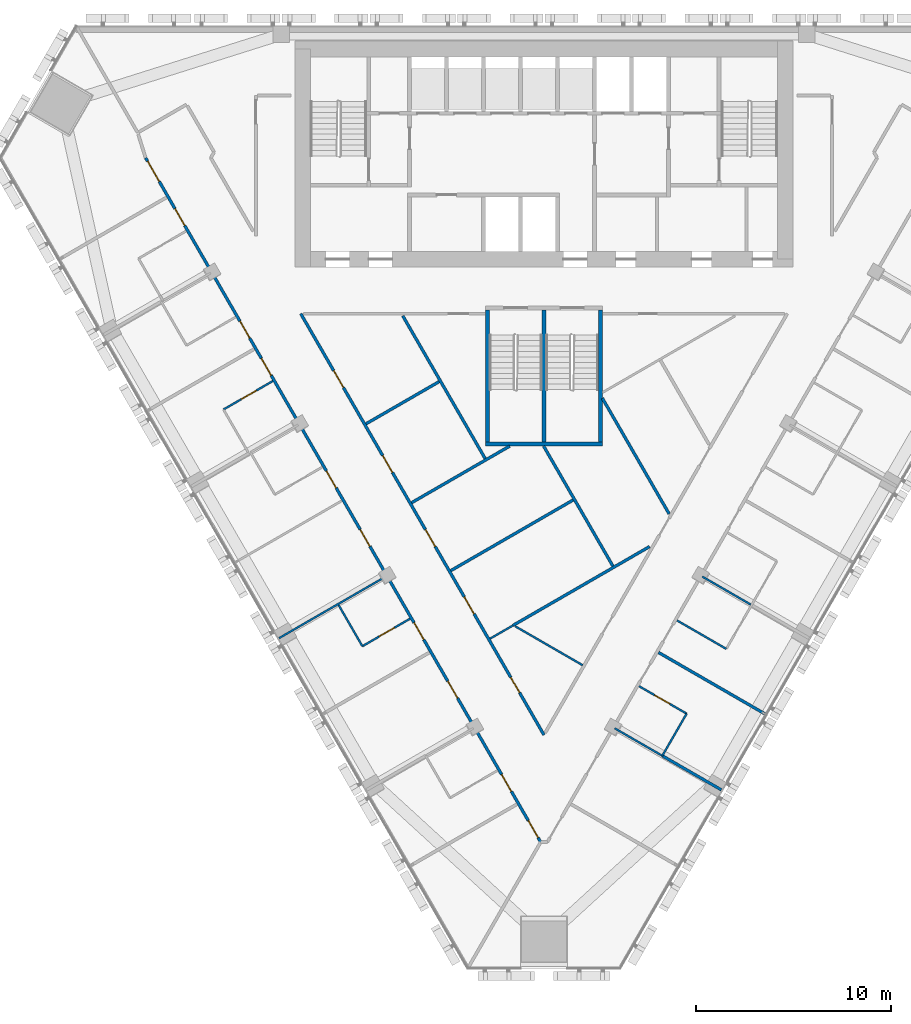
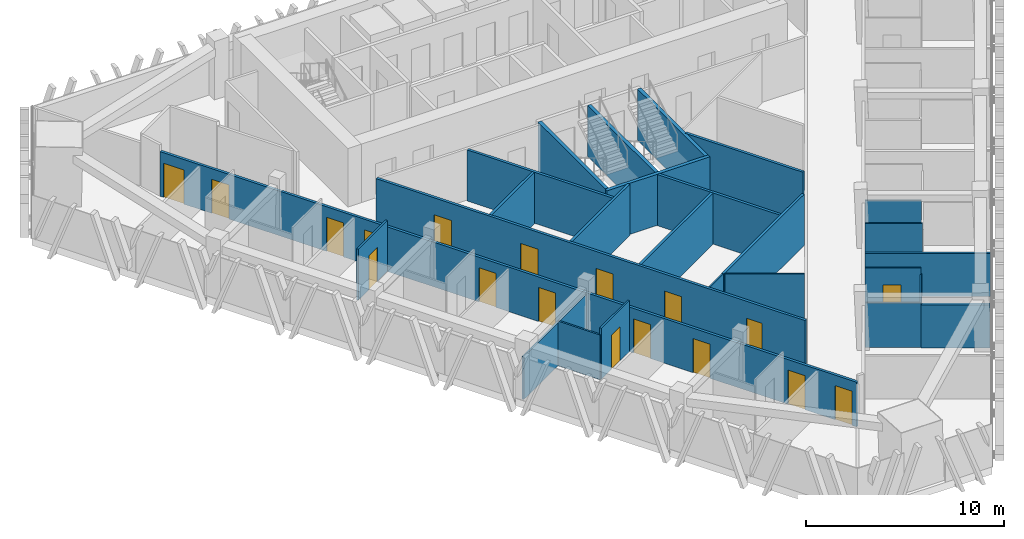
# One storey, part 9 of 16: 26 walls, 18 doors, 18 openings.
"""IFC4 building model written with IfcOpenShell, lengths in metres."""

from ifc_helpers import new_model, si_unit, direction, frame, frame_2d, origin, place, context, subcontext, project, spatial, rectangle, extrude, material, layer, layer_set, type_object, element, fill, save


model = new_model("IFC4")

# Units and contexts
model_context = context("Model", 3, precision=1e-05, world=origin(), true_north=direction((0.0, 1.0)))
body_context = subcontext(model_context, "Body", "Model", "MODEL_VIEW")
ifc_project = project(units=[si_unit("LENGTHUNIT", "METRE"), si_unit("AREAUNIT", "SQUARE_METRE"), si_unit("VOLUMEUNIT", "CUBIC_METRE"), si_unit("PLANEANGLEUNIT", "RADIAN"), si_unit("MASSUNIT", "GRAM", prefix="KILO")], contexts=[model_context])

# Site, building, storey
site_placement = place(None, origin())
site = spatial("IfcSite", under=ifc_project, at=site_placement, CompositionType="ELEMENT")
building_placement = place(site_placement, origin())
building = spatial("IfcBuilding", under=site, at=building_placement, Name="Altiplano Prism Tower", CompositionType="ELEMENT")
storey_placement = place(building_placement, frame((0.0, 0.0, 127.800048828125)))
storey = spatial("IfcBuildingStorey", under=building, at=storey_placement, Name="L32", CompositionType="ELEMENT", Elevation=127.800048828125)

# Wall, opening, door
ifc_material_1 = material(Name="Plasterboard on steel stud", Category="steel")
ifc_layer_1 = layer(ifc_material_1, 0.10009765625)
ifc_layer_set_1 = layer_set([ifc_layer_1], Name="Plasterboard on steel stud")
wall_type_1 = type_object("IfcWallType", Name="Partition 100 unit", PredefinedType="PARTITIONING", material=ifc_layer_set_1)
wall_1_placement = place(storey_placement, frame((68.5341796875, 85.278076171875, 0.0), z_axis=(0.0, 0.0, 1.0), x_axis=(0.866046596414, 0.499963291492, 0.0)))
wall_1 = element("IfcWall", 1, at=wall_1_placement, inside=storey, type_object=wall_type_1, Name="Partition P02 L32 041", PredefinedType="PARTITIONING", context=body_context, shape_type="SweptSolid", body=[
    extrude(rectangle(XDim=2.925048828125, YDim=0.10009765625, at=frame_2d((1.46240234375, 0.0))), origin(), (0.0, 0.0, 1.0), 3.14990234375),
])
opening_1_placement = place(wall_1_placement, frame((1.050048828125, 0.0, 0.0)))
opening_1 = element("IfcOpeningElement", 2, at=opening_1_placement, cuts=wall_1, Name="Opening D1147", PredefinedType="OPENING", context=body_context, shape_type="SweptSolid", body=[
    extrude(rectangle(XDim=0.89990234375, YDim=2.10009765625, at=frame_2d((0.449951171875, 1.050048828125))), frame((0.0, 0.060546875, 0.0), z_axis=(0.0, -1.0, 0.0), x_axis=(1.0, 0.0, 0.0)), (0.0, 0.0, 1.0), 0.12109375),
])
ifc_material_2 = material(Name="Timber", Category="wood")
door_type_1 = type_object("IfcDoorType", Name="Ensuite door 900 x 2100", OperationType="NOTDEFINED", PredefinedType="NOTDEFINED", material=ifc_material_2)
door_1_placement = place(opening_1_placement, origin())
door_1 = element("IfcDoor", 3, at=door_1_placement, inside=storey, type_object=door_type_1, Name="Door D1147", OperationType="SINGLE_SWING_LEFT", OverallHeight=2.10009765625, OverallWidth=0.89990234375, PredefinedType="NOTDEFINED", context=body_context, shape_type="SweptSolid", body=[
    extrude(rectangle(XDim=0.89990234375, YDim=2.10009765625, at=frame_2d((0.449951171875, 1.050048828125))), frame((0.0, 0.02490234375, 0.0), z_axis=(0.0, -1.0, 0.0), x_axis=(1.0, 0.0, 0.0)), (0.0, 0.0, 1.0), 0.050048828125),
])
fill(opening_1, door_1)

wall_2_placement = place(storey_placement, frame((78.117431640625, 74.529541015625, 0.0), z_axis=(0.0, 0.0, 1.0), x_axis=(-0.866048868473, -0.499959355765, 0.0)))
wall_2 = element("IfcWall", 4, at=wall_2_placement, inside=storey, type_object=wall_type_1, Name="Partition P02 L32 048", PredefinedType="PARTITIONING", context=body_context, shape_type="SweptSolid", body=[
    extrude(rectangle(XDim=2.824951171875, YDim=0.10009765625, at=frame_2d((1.41259765625, 0.0))), origin(), (0.0, 0.0, 1.0), 3.14990234375),
])
opening_2_placement = place(wall_2_placement, frame((0.925048828125, 0.0, 0.0)))
opening_2 = element("IfcOpeningElement", 5, at=opening_2_placement, cuts=wall_2, Name="Opening D1152", PredefinedType="OPENING", context=body_context, shape_type="SweptSolid", body=[
    extrude(rectangle(XDim=0.89990234375, YDim=2.10009765625, at=frame_2d((0.449951171875, 1.050048828125))), frame((0.0, 0.060546875, 0.0), z_axis=(0.0, -1.0, 0.0), x_axis=(1.0, 0.0, 0.0)), (0.0, 0.0, 1.0), 0.12109375),
])
door_2_placement = place(opening_2_placement, origin())
door_2 = element("IfcDoor", 6, at=door_2_placement, inside=storey, type_object=door_type_1, Name="Door D1152", OperationType="SINGLE_SWING_LEFT", OverallHeight=2.10009765625, OverallWidth=0.89990234375, PredefinedType="NOTDEFINED", context=body_context, shape_type="SweptSolid", body=[
    extrude(rectangle(XDim=0.89990234375, YDim=2.10009765625, at=frame_2d((0.449951171875, 1.050048828125))), frame((0.0, 0.02490234375, 0.0), z_axis=(0.0, -1.0, 0.0), x_axis=(1.0, 0.0, 0.0)), (0.0, 0.0, 1.0), 0.050048828125),
])
fill(opening_2, door_2)

# Wall
wall_3_placement = place(storey_placement, frame((75.6708984375, 73.1171875, 0.0), z_axis=(0.0, 0.0, 1.0), x_axis=(-0.500061746146, 0.865989751695, 0.0)))
element("IfcWall", 7, at=wall_3_placement, inside=storey, type_object=wall_type_1, Name="Partition P02 L32 049", PredefinedType="PARTITIONING", context=body_context, shape_type="SweptSolid", body=[
    extrude(rectangle(XDim=2.449951171875, YDim=0.10009765625, at=frame_2d((1.22509765625, 0.0))), origin(), (0.0, 0.0, 1.0), 2.75),
])

# Wall, opening, door
wall_4_placement = place(storey_placement, frame((89.882568359375, 71.0654296875, 0.0), z_axis=(0.0, 0.0, 1.0), x_axis=(0.866048868473, -0.499959355765, 0.0)))
wall_4 = element("IfcWall", 8, at=wall_4_placement, inside=storey, type_object=wall_type_1, Name="Partition P02 L32 060", PredefinedType="PARTITIONING", context=body_context, shape_type="SweptSolid", body=[
    extrude(rectangle(XDim=2.824951171875, YDim=0.10009765625, at=frame_2d((1.41259765625, 0.0))), origin(), (0.0, 0.0, 1.0), 3.14990234375),
])
opening_3_placement = place(wall_4_placement, frame((0.925048828125, 0.0, 0.0)))
opening_3 = element("IfcOpeningElement", 9, at=opening_3_placement, cuts=wall_4, Name="Opening D1160", PredefinedType="OPENING", context=body_context, shape_type="SweptSolid", body=[
    extrude(rectangle(XDim=0.89990234375, YDim=2.10009765625, at=frame_2d((0.449951171875, 1.050048828125))), frame((0.0, 0.060546875, 0.0), z_axis=(0.0, -1.0, 0.0), x_axis=(1.0, 0.0, 0.0)), (0.0, 0.0, 1.0), 0.12109375),
])
door_3_placement = place(opening_3_placement, origin())
door_3 = element("IfcDoor", 10, at=door_3_placement, inside=storey, type_object=door_type_1, Name="Door D1160", OperationType="SINGLE_SWING_LEFT", OverallHeight=2.10009765625, OverallWidth=0.89990234375, PredefinedType="NOTDEFINED", context=body_context, shape_type="SweptSolid", body=[
    extrude(rectangle(XDim=0.89990234375, YDim=2.10009765625, at=frame_2d((0.449951171875, 1.050048828125))), frame((0.0, 0.02490234375, 0.0), z_axis=(0.0, -1.0, 0.0), x_axis=(1.0, 0.0, 0.0)), (0.0, 0.0, 1.0), 0.050048828125),
])
fill(opening_3, door_3)

# Walls
wall_5_placement = place(storey_placement, frame((92.3291015625, 69.653076171875, 0.0), z_axis=(0.0, 0.0, 1.0), x_axis=(-0.500004234368, -0.866022959057, 0.0)))
element("IfcWall", 11, at=wall_5_placement, inside=storey, type_object=wall_type_1, Name="Partition P02 L32 061", PredefinedType="PARTITIONING", context=body_context, shape_type="SweptSolid", body=[
    extrude(rectangle(XDim=2.5, YDim=0.10009765625, at=frame_2d((1.25, 0.0))), origin(), (0.0, 0.0, 1.0), 2.75),
])
wall_6_placement = place(storey_placement, frame((94.36572265625, 72.98046875, 0.0), z_axis=(0.0, 0.0, 1.0), x_axis=(-0.86601045545, 0.500025890382, 0.0)))
element("IfcWall", 12, at=wall_6_placement, inside=storey, type_object=wall_type_1, Name="Partition P02 L32 063", PredefinedType="PARTITIONING", context=body_context, shape_type="SweptSolid", body=[
    extrude(rectangle(XDim=2.925048828125, YDim=0.10009765625, at=frame_2d((1.46240234375, 0.0))), origin(), (0.0, 0.0, 1.0), 3.14990234375),
])
ifc_layer_2 = layer(ifc_material_1, 0.10009765625)
ifc_layer_set_2 = layer_set([ifc_layer_2], Name="Plasterboard on steel stud")
wall_type_2 = type_object("IfcWallType", Name="Partition 100 wet", PredefinedType="PARTITIONING", material=ifc_layer_set_2)
wall_7_placement = place(storey_placement, frame((86.98291015625, 72.14306640625, 0.0), z_axis=(0.0, 0.0, 1.0), x_axis=(-0.866009324345, 0.500027849373, 0.0)))
element("IfcWall", 13, at=wall_7_placement, inside=storey, type_object=wall_type_2, Name="Partition P03 L32 022", PredefinedType="PARTITIONING", context=body_context, shape_type="SweptSolid", body=[
    extrude(rectangle(XDim=3.990478515625, YDim=0.10009765625, at=frame_2d((1.9951171875, 0.0))), origin(), (0.0, 0.0, 1.0), 3.14990234375),
])
wall_8_placement = place(storey_placement, frame((83.409912109375, 74.18603515625, 0.0), z_axis=(0.0, 0.0, 1.0), x_axis=(-0.86607212614, -0.499919065772, 0.0)))
element("IfcWall", 14, at=wall_8_placement, inside=storey, type_object=wall_type_2, Name="Partition P03 L32 023", PredefinedType="PARTITIONING", context=body_context, shape_type="SweptSolid", body=[
    extrude(rectangle(XDim=1.361572265625, YDim=0.10009765625, at=frame_2d((0.6806640625, 0.0))), origin(), (0.0, 0.0, 1.0), 3.14990234375),
])
wall_9_placement = place(storey_placement, frame((71.389892578125, 73.5322265625, 0.0), z_axis=(0.0, 0.0, 1.0), x_axis=(0.866032601554, 0.49998753289, 0.0)))
element("IfcWall", 15, at=wall_9_placement, inside=storey, type_object=wall_type_2, Name="Partition P03 L32 047", PredefinedType="PARTITIONING", context=body_context, shape_type="SweptSolid", body=[
    extrude(rectangle(XDim=6.324951171875, YDim=0.10009765625, at=frame_2d((3.16259765625, 0.0))), origin(), (0.0, 0.0, 1.0), 2.64990234375),
])
wall_10_placement = place(storey_placement, frame((91.0791015625, 67.488037109375, 0.0), z_axis=(0.0, 0.0, 1.0), x_axis=(-0.866048868473, 0.499959355765, 0.0)))
element("IfcWall", 16, at=wall_10_placement, inside=storey, type_object=wall_type_2, Name="Partition P03 L32 059", PredefinedType="PARTITIONING", context=body_context, shape_type="SweptSolid", body=[
    extrude(rectangle(XDim=2.824951171875, YDim=0.10009765625, at=frame_2d((1.41259765625, 0.0))), origin(), (0.0, 0.0, 1.0), 2.75),
])
wall_11_placement = place(storey_placement, frame((95.622314453125, 75.257080078125, 0.0), z_axis=(0.0, 0.0, 1.0), x_axis=(-0.866018712932, 0.500011588718, 0.0)))
element("IfcWall", 17, at=wall_11_placement, inside=storey, type_object=wall_type_2, Name="Partition P03 L32 065", PredefinedType="PARTITIONING", context=body_context, shape_type="SweptSolid", body=[
    extrude(rectangle(XDim=2.875, YDim=0.10009765625, at=frame_2d((1.4375, 0.0))), origin(), (0.0, 0.0, 1.0), 2.75),
])

# Wall, openings, doors
ifc_layer_3 = layer(ifc_material_1, 0.14990234375)
ifc_layer_set_3 = layer_set([ifc_layer_3], Name="Plasterboard on steel stud")
wall_type_3 = type_object("IfcWallType", Name="Partition 150 corridor", PredefinedType="PARTITIONING", material=ifc_layer_set_3)
wall_12_placement = place(storey_placement, frame((85.0, 68.55859375, 0.0), z_axis=(0.0, 0.0, 1.0), x_axis=(-0.499999561005, 0.866025657238, 0.0)))
wall_12 = element("IfcWall", 18, at=wall_12_placement, inside=storey, type_object=wall_type_3, Name="Partition P06 L32 001", PredefinedType="PARTITIONING", context=body_context, shape_type="SweptSolid", body=[
    extrude(rectangle(XDim=24.9892578125, YDim=0.14990234375, at=frame_2d((12.49462890625, 0.0))), origin(), (0.0, 0.0, 1.0), 3.14990234375),
])
opening_4_placement = place(wall_12_placement, frame((2.514892578125, 0.0, 0.0)))
opening_4 = element("IfcOpeningElement", 19, at=opening_4_placement, cuts=wall_12, Name="Opening D1135", PredefinedType="OPENING", context=body_context, shape_type="SweptSolid", body=[
    extrude(rectangle(XDim=0.89990234375, YDim=2.10009765625, at=frame_2d((0.449951171875, 1.050048828125))), frame((0.0, 0.08544921875, 0.0), z_axis=(0.0, -1.0, 0.0), x_axis=(1.0, 0.0, 0.0)), (0.0, 0.0, 1.0), 0.1708984375),
])
opening_5_placement = place(wall_12_placement, frame((15.572998046875, 0.0, 0.0)))
opening_5 = element("IfcOpeningElement", 20, at=opening_5_placement, cuts=wall_12, Name="Opening D1140", PredefinedType="OPENING", context=body_context, shape_type="SweptSolid", body=[
    extrude(rectangle(XDim=1.0, YDim=2.10009765625, at=frame_2d((0.5, 1.050048828125))), frame((0.0, 0.08544921875, 0.0), z_axis=(0.0, -1.0, 0.0), x_axis=(1.0, 0.0, 0.0)), (0.0, 0.0, 1.0), 0.1708984375),
])
opening_6_placement = place(wall_12_placement, frame((7.18603515625, 0.0, 0.0)))
opening_6 = element("IfcOpeningElement", 21, at=opening_6_placement, cuts=wall_12, Name="Opening D1174", PredefinedType="OPENING", context=body_context, shape_type="SweptSolid", body=[
    extrude(rectangle(XDim=1.0, YDim=2.10009765625, at=frame_2d((0.5, 1.050048828125))), frame((0.0, 0.08544921875, 0.0), z_axis=(0.0, -1.0, 0.0), x_axis=(1.0, 0.0, 0.0)), (0.0, 0.0, 1.0), 0.1708984375),
])
opening_7_placement = place(wall_12_placement, frame((11.178955078125, 0.0, 0.0)))
opening_7 = element("IfcOpeningElement", 22, at=opening_7_placement, cuts=wall_12, Name="Opening D1175", PredefinedType="OPENING", context=body_context, shape_type="SweptSolid", body=[
    extrude(rectangle(XDim=1.0, YDim=2.10009765625, at=frame_2d((0.5, 1.050048828125))), frame((0.0, 0.08544921875, 0.0), z_axis=(0.0, -1.0, 0.0), x_axis=(1.0, 0.0, 0.0)), (0.0, 0.0, 1.0), 0.1708984375),
])
opening_8_placement = place(wall_12_placement, frame((20.60693359375, 0.0, 0.0)))
opening_8 = element("IfcOpeningElement", 23, at=opening_8_placement, cuts=wall_12, Name="Opening D1177", PredefinedType="OPENING", context=body_context, shape_type="SweptSolid", body=[
    extrude(rectangle(XDim=1.0, YDim=2.10009765625, at=frame_2d((0.5, 1.050048828125))), frame((0.0, 0.08544921875, 0.0), z_axis=(0.0, -1.0, 0.0), x_axis=(1.0, 0.0, 0.0)), (0.0, 0.0, 1.0), 0.1708984375),
])
door_type_2 = type_object("IfcDoorType", Name="Room door 1000 x 2100", OperationType="NOTDEFINED", PredefinedType="NOTDEFINED", material=ifc_material_2)
door_4_placement = place(opening_6_placement, origin())
door_4 = element("IfcDoor", 24, at=door_4_placement, inside=storey, type_object=door_type_2, Name="Door D1174", OperationType="SINGLE_SWING_RIGHT", OverallHeight=2.10009765625, OverallWidth=1.0, PredefinedType="NOTDEFINED", context=body_context, shape_type="SweptSolid", body=[
    extrude(rectangle(XDim=1.0, YDim=2.10009765625, at=frame_2d((0.5, 1.050048828125))), frame((0.0, 0.02490234375, 0.0), z_axis=(0.0, -1.0, 0.0), x_axis=(1.0, 0.0, 0.0)), (0.0, 0.0, 1.0), 0.050048828125),
])
fill(opening_6, door_4)
door_type_3 = type_object("IfcDoorType", Name="Store door 1000 x 2100", OperationType="NOTDEFINED", PredefinedType="NOTDEFINED", material=ifc_material_2)
door_5_placement = place(opening_5_placement, origin())
door_5 = element("IfcDoor", 25, at=door_5_placement, inside=storey, type_object=door_type_3, Name="Door D1140", OperationType="SINGLE_SWING_LEFT", OverallHeight=2.10009765625, OverallWidth=1.0, PredefinedType="NOTDEFINED", context=body_context, shape_type="SweptSolid", body=[
    extrude(rectangle(XDim=1.0, YDim=2.10009765625, at=frame_2d((0.5, 1.050048828125))), frame((0.0, 0.02490234375, 0.0), z_axis=(0.0, -1.0, 0.0), x_axis=(1.0, 0.0, 0.0)), (0.0, 0.0, 1.0), 0.050048828125),
])
fill(opening_5, door_5)
door_6_placement = place(opening_7_placement, origin())
door_6 = element("IfcDoor", 26, at=door_6_placement, inside=storey, type_object=door_type_3, Name="Door D1175", OperationType="SINGLE_SWING_RIGHT", OverallHeight=2.10009765625, OverallWidth=1.0, PredefinedType="NOTDEFINED", context=body_context, shape_type="SweptSolid", body=[
    extrude(rectangle(XDim=1.0, YDim=2.10009765625, at=frame_2d((0.5, 1.050048828125))), frame((0.0, 0.02490234375, 0.0), z_axis=(0.0, -1.0, 0.0), x_axis=(1.0, 0.0, 0.0)), (0.0, 0.0, 1.0), 0.050048828125),
])
fill(opening_7, door_6)
door_7_placement = place(opening_8_placement, origin())
door_7 = element("IfcDoor", 27, at=door_7_placement, inside=storey, type_object=door_type_3, Name="Door D1177", OperationType="SINGLE_SWING_RIGHT", OverallHeight=2.10009765625, OverallWidth=1.0, PredefinedType="NOTDEFINED", context=body_context, shape_type="SweptSolid", body=[
    extrude(rectangle(XDim=1.0, YDim=2.10009765625, at=frame_2d((0.5, 1.050048828125))), frame((0.0, 0.02490234375, 0.0), z_axis=(0.0, -1.0, 0.0), x_axis=(1.0, 0.0, 0.0)), (0.0, 0.0, 1.0), 0.050048828125),
])
fill(opening_8, door_7)
door_type_4 = type_object("IfcDoorType", Name="Toilet door 900 x 2100", OperationType="NOTDEFINED", PredefinedType="NOTDEFINED", material=ifc_material_2)
door_8_placement = place(opening_4_placement, origin())
door_8 = element("IfcDoor", 28, at=door_8_placement, inside=storey, type_object=door_type_4, Name="Door D1135", OperationType="SINGLE_SWING_LEFT", OverallHeight=2.10009765625, OverallWidth=0.89990234375, PredefinedType="NOTDEFINED", context=body_context, shape_type="SweptSolid", body=[
    extrude(rectangle(XDim=0.89990234375, YDim=2.10009765625, at=frame_2d((0.449951171875, 1.050048828125))), frame((0.0, 0.02490234375, 0.0), z_axis=(0.0, -1.0, 0.0), x_axis=(1.0, 0.0, 0.0)), (0.0, 0.0, 1.0), 0.050048828125),
])
fill(opening_4, door_8)

wall_13_placement = place(storey_placement, frame((64.534423828125, 98.2060546875, 0.0), z_axis=(0.0, 0.0, 1.0), x_axis=(0.499999603446, -0.866025632735, 0.0)))
wall_13 = element("IfcWall", 29, at=wall_13_placement, inside=storey, type_object=wall_type_3, Name="Partition P06 L32 005", PredefinedType="PARTITIONING", context=body_context, shape_type="SweptSolid", body=[
    extrude(rectangle(XDim=40.591796875, YDim=0.14990234375, at=frame_2d((20.2958984375, 0.0))), origin(), (0.0, 0.0, 1.0), 2.75),
])
opening_9_placement = place(wall_13_placement, frame((0.199951171875, 0.0, 0.0)))
opening_9 = element("IfcOpeningElement", 30, at=opening_9_placement, cuts=wall_13, Name="Opening D1141", PredefinedType="OPENING", context=body_context, shape_type="SweptSolid", body=[
    extrude(rectangle(XDim=1.199951171875, YDim=2.10009765625, at=frame_2d((0.60009765625, 1.050048828125))), frame((0.0, 0.08544921875, 0.0), z_axis=(0.0, -1.0, 0.0), x_axis=(1.0, 0.0, 0.0)), (0.0, 0.0, 1.0), 0.1708984375),
])
opening_10_placement = place(wall_13_placement, frame((3.01611328125, 0.0, 0.0)))
opening_10 = element("IfcOpeningElement", 31, at=opening_10_placement, cuts=wall_13, Name="Opening D1142", PredefinedType="OPENING", context=body_context, shape_type="SweptSolid", body=[
    extrude(rectangle(XDim=1.0, YDim=2.10009765625, at=frame_2d((0.5, 1.050048828125))), frame((0.0, 0.08544921875, 0.0), z_axis=(0.0, -1.0, 0.0), x_axis=(1.0, 0.0, 0.0)), (0.0, 0.0, 1.0), 0.1708984375),
])
opening_11_placement = place(wall_13_placement, frame((9.69091796875, 0.0, 0.0)))
opening_11 = element("IfcOpeningElement", 32, at=opening_11_placement, cuts=wall_13, Name="Opening D1144", PredefinedType="OPENING", context=body_context, shape_type="SweptSolid", body=[
    extrude(rectangle(XDim=1.0, YDim=2.10009765625, at=frame_2d((0.5, 1.050048828125))), frame((0.0, 0.08544921875, 0.0), z_axis=(0.0, -1.0, 0.0), x_axis=(1.0, 0.0, 0.0)), (0.0, 0.0, 1.0), 0.1708984375),
])
opening_12_placement = place(wall_13_placement, frame((11.90087890625, 0.0, 0.0)))
opening_12 = element("IfcOpeningElement", 33, at=opening_12_placement, cuts=wall_13, Name="Opening D1146", PredefinedType="OPENING", context=body_context, shape_type="SweptSolid", body=[
    extrude(rectangle(XDim=1.0, YDim=2.10009765625, at=frame_2d((0.5, 1.050048828125))), frame((0.0, 0.08544921875, 0.0), z_axis=(0.0, -1.0, 0.0), x_axis=(1.0, 0.0, 0.0)), (0.0, 0.0, 1.0), 0.1708984375),
])
opening_13_placement = place(wall_13_placement, frame((18.575927734375, 0.0, 0.0)))
opening_13 = element("IfcOpeningElement", 34, at=opening_13_placement, cuts=wall_13, Name="Opening D1148", PredefinedType="OPENING", context=body_context, shape_type="SweptSolid", body=[
    extrude(rectangle(XDim=1.0, YDim=2.10009765625, at=frame_2d((0.5, 1.050048828125))), frame((0.0, 0.08544921875, 0.0), z_axis=(0.0, -1.0, 0.0), x_axis=(1.0, 0.0, 0.0)), (0.0, 0.0, 1.0), 0.1708984375),
])
opening_14_placement = place(wall_13_placement, frame((22.0458984375, 0.0, 0.0)))
opening_14 = element("IfcOpeningElement", 35, at=opening_14_placement, cuts=wall_13, Name="Opening D1150", PredefinedType="OPENING", context=body_context, shape_type="SweptSolid", body=[
    extrude(rectangle(XDim=1.0, YDim=2.10009765625, at=frame_2d((0.5, 1.050048828125))), frame((0.0, 0.08544921875, 0.0), z_axis=(0.0, -1.0, 0.0), x_axis=(1.0, 0.0, 0.0)), (0.0, 0.0, 1.0), 0.1708984375),
])
opening_15_placement = place(wall_13_placement, frame((27.575927734375, 0.0, 0.0)))
opening_15 = element("IfcOpeningElement", 36, at=opening_15_placement, cuts=wall_13, Name="Opening D1151", PredefinedType="OPENING", context=body_context, shape_type="SweptSolid", body=[
    extrude(rectangle(XDim=1.0, YDim=2.10009765625, at=frame_2d((0.5, 1.050048828125))), frame((0.0, 0.08544921875, 0.0), z_axis=(0.0, -1.0, 0.0), x_axis=(1.0, 0.0, 0.0)), (0.0, 0.0, 1.0), 0.1708984375),
])
opening_16_placement = place(wall_13_placement, frame((31.0458984375, 0.0, 0.0)))
opening_16 = element("IfcOpeningElement", 37, at=opening_16_placement, cuts=wall_13, Name="Opening D1153", PredefinedType="OPENING", context=body_context, shape_type="SweptSolid", body=[
    extrude(rectangle(XDim=1.0, YDim=2.10009765625, at=frame_2d((0.5, 1.050048828125))), frame((0.0, 0.08544921875, 0.0), z_axis=(0.0, -1.0, 0.0), x_axis=(1.0, 0.0, 0.0)), (0.0, 0.0, 1.0), 0.1708984375),
])
opening_17_placement = place(wall_13_placement, frame((36.575927734375, 0.0, 0.0)))
opening_17 = element("IfcOpeningElement", 38, at=opening_17_placement, cuts=wall_13, Name="Opening D1154", PredefinedType="OPENING", context=body_context, shape_type="SweptSolid", body=[
    extrude(rectangle(XDim=1.0, YDim=2.10009765625, at=frame_2d((0.5, 1.050048828125))), frame((0.0, 0.08544921875, 0.0), z_axis=(0.0, -1.0, 0.0), x_axis=(1.0, 0.0, 0.0)), (0.0, 0.0, 1.0), 0.1708984375),
])
opening_18_placement = place(wall_13_placement, frame((39.322998046875, 0.0, 0.0)))
opening_18 = element("IfcOpeningElement", 39, at=opening_18_placement, cuts=wall_13, Name="Opening D1156", PredefinedType="OPENING", context=body_context, shape_type="SweptSolid", body=[
    extrude(rectangle(XDim=1.0, YDim=2.10009765625, at=frame_2d((0.5, 1.050048828125))), frame((0.0, 0.08544921875, 0.0), z_axis=(0.0, -1.0, 0.0), x_axis=(1.0, 0.0, 0.0)), (0.0, 0.0, 1.0), 0.1708984375),
])
door_type_5 = type_object("IfcDoorType", Name="Bedroom entrance door 1000 x 2100", OperationType="NOTDEFINED", PredefinedType="NOTDEFINED", material=ifc_material_2)
door_9_placement = place(opening_10_placement, origin())
door_9 = element("IfcDoor", 40, at=door_9_placement, inside=storey, type_object=door_type_5, Name="Door D1142", OperationType="SINGLE_SWING_RIGHT", OverallHeight=2.10009765625, OverallWidth=1.0, PredefinedType="NOTDEFINED", context=body_context, shape_type="SweptSolid", body=[
    extrude(rectangle(XDim=1.0, YDim=2.10009765625, at=frame_2d((0.5, 1.050048828125))), frame((0.0, 0.02490234375, 0.0), z_axis=(0.0, -1.0, 0.0), x_axis=(1.0, 0.0, 0.0)), (0.0, 0.0, 1.0), 0.050048828125),
])
fill(opening_10, door_9)
door_10_placement = place(opening_11_placement, origin())
door_10 = element("IfcDoor", 41, at=door_10_placement, inside=storey, type_object=door_type_5, Name="Door D1144", OperationType="SINGLE_SWING_RIGHT", OverallHeight=2.10009765625, OverallWidth=1.0, PredefinedType="NOTDEFINED", context=body_context, shape_type="SweptSolid", body=[
    extrude(rectangle(XDim=1.0, YDim=2.10009765625, at=frame_2d((0.5, 1.050048828125))), frame((0.0, 0.02490234375, 0.0), z_axis=(0.0, -1.0, 0.0), x_axis=(1.0, 0.0, 0.0)), (0.0, 0.0, 1.0), 0.050048828125),
])
fill(opening_11, door_10)
door_11_placement = place(opening_12_placement, origin())
door_11 = element("IfcDoor", 42, at=door_11_placement, inside=storey, type_object=door_type_5, Name="Door D1146", OperationType="SINGLE_SWING_LEFT", OverallHeight=2.10009765625, OverallWidth=1.0, PredefinedType="NOTDEFINED", context=body_context, shape_type="SweptSolid", body=[
    extrude(rectangle(XDim=1.0, YDim=2.10009765625, at=frame_2d((0.5, 1.050048828125))), frame((0.0, 0.02490234375, 0.0), z_axis=(0.0, -1.0, 0.0), x_axis=(1.0, 0.0, 0.0)), (0.0, 0.0, 1.0), 0.050048828125),
])
fill(opening_12, door_11)
door_12_placement = place(opening_13_placement, origin())
door_12 = element("IfcDoor", 43, at=door_12_placement, inside=storey, type_object=door_type_5, Name="Door D1148", OperationType="SINGLE_SWING_LEFT", OverallHeight=2.10009765625, OverallWidth=1.0, PredefinedType="NOTDEFINED", context=body_context, shape_type="SweptSolid", body=[
    extrude(rectangle(XDim=1.0, YDim=2.10009765625, at=frame_2d((0.5, 1.050048828125))), frame((0.0, 0.02490234375, 0.0), z_axis=(0.0, -1.0, 0.0), x_axis=(1.0, 0.0, 0.0)), (0.0, 0.0, 1.0), 0.050048828125),
])
fill(opening_13, door_12)
door_13_placement = place(opening_15_placement, origin())
door_13 = element("IfcDoor", 44, at=door_13_placement, inside=storey, type_object=door_type_5, Name="Door D1151", OperationType="SINGLE_SWING_RIGHT", OverallHeight=2.10009765625, OverallWidth=1.0, PredefinedType="NOTDEFINED", context=body_context, shape_type="SweptSolid", body=[
    extrude(rectangle(XDim=1.0, YDim=2.10009765625, at=frame_2d((0.5, 1.050048828125))), frame((0.0, 0.02490234375, 0.0), z_axis=(0.0, -1.0, 0.0), x_axis=(1.0, 0.0, 0.0)), (0.0, 0.0, 1.0), 0.050048828125),
])
fill(opening_15, door_13)
door_14_placement = place(opening_17_placement, origin())
door_14 = element("IfcDoor", 45, at=door_14_placement, inside=storey, type_object=door_type_5, Name="Door D1154", OperationType="SINGLE_SWING_RIGHT", OverallHeight=2.10009765625, OverallWidth=1.0, PredefinedType="NOTDEFINED", context=body_context, shape_type="SweptSolid", body=[
    extrude(rectangle(XDim=1.0, YDim=2.10009765625, at=frame_2d((0.5, 1.050048828125))), frame((0.0, 0.02490234375, 0.0), z_axis=(0.0, -1.0, 0.0), x_axis=(1.0, 0.0, 0.0)), (0.0, 0.0, 1.0), 0.050048828125),
])
fill(opening_17, door_14)
door_15_placement = place(opening_14_placement, origin())
door_15 = element("IfcDoor", 46, at=door_15_placement, inside=storey, type_object=door_type_2, Name="Door D1150", OperationType="SINGLE_SWING_RIGHT", OverallHeight=2.10009765625, OverallWidth=1.0, PredefinedType="NOTDEFINED", context=body_context, shape_type="SweptSolid", body=[
    extrude(rectangle(XDim=1.0, YDim=2.10009765625, at=frame_2d((0.5, 1.050048828125))), frame((0.0, 0.02490234375, 0.0), z_axis=(0.0, -1.0, 0.0), x_axis=(1.0, 0.0, 0.0)), (0.0, 0.0, 1.0), 0.050048828125),
])
fill(opening_14, door_15)
door_16_placement = place(opening_16_placement, origin())
door_16 = element("IfcDoor", 47, at=door_16_placement, inside=storey, type_object=door_type_2, Name="Door D1153", OperationType="SINGLE_SWING_RIGHT", OverallHeight=2.10009765625, OverallWidth=1.0, PredefinedType="NOTDEFINED", context=body_context, shape_type="SweptSolid", body=[
    extrude(rectangle(XDim=1.0, YDim=2.10009765625, at=frame_2d((0.5, 1.050048828125))), frame((0.0, 0.02490234375, 0.0), z_axis=(0.0, -1.0, 0.0), x_axis=(1.0, 0.0, 0.0)), (0.0, 0.0, 1.0), 0.050048828125),
])
fill(opening_16, door_16)
door_17_placement = place(opening_18_placement, origin())
door_17 = element("IfcDoor", 48, at=door_17_placement, inside=storey, type_object=door_type_2, Name="Door D1156", OperationType="SINGLE_SWING_LEFT", OverallHeight=2.10009765625, OverallWidth=1.0, PredefinedType="NOTDEFINED", context=body_context, shape_type="SweptSolid", body=[
    extrude(rectangle(XDim=1.0, YDim=2.10009765625, at=frame_2d((0.5, 1.050048828125))), frame((0.0, 0.02490234375, 0.0), z_axis=(0.0, -1.0, 0.0), x_axis=(1.0, 0.0, 0.0)), (0.0, 0.0, 1.0), 0.050048828125),
])
fill(opening_18, door_17)
door_type_6 = type_object("IfcDoorType", Name="Shared room door 1200 x 2100", OperationType="NOTDEFINED", PredefinedType="NOTDEFINED", material=ifc_material_2)
door_18_placement = place(opening_9_placement, origin())
door_18 = element("IfcDoor", 49, at=door_18_placement, inside=storey, type_object=door_type_6, Name="Door D1141", OperationType="SINGLE_SWING_RIGHT", OverallHeight=2.10009765625, OverallWidth=1.199951171875, PredefinedType="NOTDEFINED", context=body_context, shape_type="SweptSolid", body=[
    extrude(rectangle(XDim=1.199951171875, YDim=2.10009765625, at=frame_2d((0.60009765625, 1.050048828125))), frame((0.0, 0.02490234375, 0.0), z_axis=(0.0, -1.0, 0.0), x_axis=(1.0, 0.0, 0.0)), (0.0, 0.0, 1.0), 0.050048828125),
])
fill(opening_9, door_18)

# Walls
ifc_layer_4 = layer(ifc_material_1, 0.14990234375)
ifc_layer_set_4 = layer_set([ifc_layer_4], Name="Plasterboard on steel stud")
wall_type_4 = type_object("IfcWallType", Name="Partition 150 party", PredefinedType="PARTITIONING", material=ifc_layer_set_4)
wall_14_placement = place(storey_placement, frame((90.42626953125, 78.237060546875, 0.0), z_axis=(0.0, 0.0, 1.0), x_axis=(-0.866018480059, -0.500011992053, 0.0)))
element("IfcWall", 50, at=wall_14_placement, inside=storey, type_object=wall_type_4, Name="Partition P01 L32 025", PredefinedType="PARTITIONING", context=body_context, shape_type="SweptSolid", body=[
    extrude(rectangle(XDim=8.101806640625, YDim=0.14990234375, at=frame_2d((4.05078125, 0.0))), origin(), (0.0, 0.0, 1.0), 3.14990234375),
])
wall_15_placement = place(storey_placement, frame((77.746826171875, 90.08740234375, 0.0), z_axis=(0.0, 0.0, 1.0), x_axis=(0.5000170959, -0.866015533237, 0.0)))
element("IfcWall", 51, at=wall_15_placement, inside=storey, type_object=wall_type_4, Name="Partition P01 L32 026", PredefinedType="PARTITIONING", context=body_context, shape_type="SweptSolid", body=[
    extrude(rectangle(XDim=8.463623046875, YDim=0.14990234375, at=frame_2d((4.23193359375, 0.0))), origin(), (0.0, 0.0, 1.0), 3.14990234375),
])
wall_16_placement = place(storey_placement, frame((78.19873046875, 80.48876953125, 0.0), z_axis=(0.0, 0.0, 1.0), x_axis=(0.86603616059, 0.499981368203, 0.0)))
element("IfcWall", 52, at=wall_16_placement, inside=storey, type_object=wall_type_4, Name="Partition P01 L32 028", PredefinedType="PARTITIONING", context=body_context, shape_type="SweptSolid", body=[
    extrude(rectangle(XDim=5.822509765625, YDim=0.14990234375, at=frame_2d((2.9111328125, 0.0))), origin(), (0.0, 0.0, 1.0), 3.14990234375),
])
wall_17_placement = place(storey_placement, frame((79.61083984375, 86.709228515625, 0.0), z_axis=(0.0, 0.0, 1.0), x_axis=(-0.866036406277, -0.499980942639, 0.0)))
element("IfcWall", 53, at=wall_17_placement, inside=storey, type_object=wall_type_4, Name="Partition P01 L32 029", PredefinedType="PARTITIONING", context=body_context, shape_type="SweptSolid", body=[
    extrude(rectangle(XDim=4.333251953125, YDim=0.14990234375, at=frame_2d((2.16650390625, 0.0))), origin(), (0.0, 0.0, 1.0), 3.14990234375),
])
wall_18_placement = place(storey_placement, frame((94.110107421875, 65.738037109375, 0.0), z_axis=(0.0, 0.0, 1.0), x_axis=(-0.866019471182, 0.500010275428, 0.0)))
element("IfcWall", 54, at=wall_18_placement, inside=storey, type_object=wall_type_4, Name="Partition P01 L32 058", PredefinedType="PARTITIONING", context=body_context, shape_type="SweptSolid", body=[
    extrude(rectangle(XDim=3.5, YDim=0.14990234375, at=frame_2d((1.75, 0.0))), origin(), (0.0, 0.0, 1.0), 2.64990234375),
])
wall_19_placement = place(storey_placement, frame((96.377685546875, 69.625, 0.0), z_axis=(0.0, 0.0, 1.0), x_axis=(-0.866025401434, 0.500000004071, 0.0)))
element("IfcWall", 55, at=wall_19_placement, inside=storey, type_object=wall_type_4, Name="Partition P01 L32 062", PredefinedType="PARTITIONING", context=body_context, shape_type="SweptSolid", body=[
    extrude(rectangle(XDim=6.34521484375, YDim=0.14990234375, at=frame_2d((3.172607421875, 0.0))), origin(), (0.0, 0.0, 1.0), 2.64990234375),
])
wall_20_placement = place(storey_placement, frame((86.495361328125, 80.626708984375, 0.0), z_axis=(0.0, 0.0, 1.0), x_axis=(-0.866016326422, -0.500015722123, 0.0)))
element("IfcWall", 56, at=wall_20_placement, inside=storey, type_object=wall_type_4, Name="Partition P01 L32 079", PredefinedType="PARTITIONING", context=body_context, shape_type="SweptSolid", body=[
    extrude(rectangle(XDim=7.254150390625, YDim=0.14990234375, at=frame_2d((3.626953125, 0.0))), origin(), (0.0, 0.0, 1.0), 3.14990234375),
])
wall_21_placement = place(storey_placement, frame((88.540283203125, 77.23486328125, 0.0), z_axis=(0.0, 0.0, 1.0), x_axis=(-0.500019316528, 0.866014251095, 0.0)))
element("IfcWall", 57, at=wall_21_placement, inside=storey, type_object=wall_type_4, Name="Partition P01 L32 080", PredefinedType="PARTITIONING", context=body_context, shape_type="SweptSolid", body=[
    extrude(rectangle(XDim=7.118896484375, YDim=0.14990234375, at=frame_2d((3.5595703125, 0.0))), origin(), (0.0, 0.0, 1.0), 3.14990234375),
])
wall_22_placement = place(storey_placement, frame((91.4287109375, 79.91845703125, 0.0), z_axis=(0.0, 0.0, 1.0), x_axis=(-0.499998790464, 0.86602610211, 0.0)))
element("IfcWall", 58, at=wall_22_placement, inside=storey, type_object=wall_type_4, Name="Partition P01 L32 081", PredefinedType="PARTITIONING", context=body_context, shape_type="SweptSolid", body=[
    extrude(rectangle(XDim=6.857421875, YDim=0.14990234375, at=frame_2d((3.4287109375, 0.0))), origin(), (0.0, 0.0, 1.0), 3.14990234375),
])
ifc_material_3 = material(Name="Concrete C60/75", Category="concrete")
ifc_layer_5 = layer(ifc_material_3, 0.199951171875)
ifc_layer_set_5 = layer_set([ifc_layer_5], Name="Concrete C60/75")
wall_type_5 = type_object("IfcWallType", Name="Stair wall 200", PredefinedType="SOLIDWALL", material=ifc_layer_set_5)
wall_23_placement = place(storey_placement, frame((82.0, 83.5, 0.0), z_axis=(0.0, 0.0, 1.0), x_axis=(1.0, 0.0, 0.0)))
element("IfcWall", 59, at=wall_23_placement, inside=storey, type_object=wall_type_5, Name="Stair 3 wall south L32", PredefinedType="SOLIDWALL", context=body_context, shape_type="SweptSolid", body=[
    extrude(rectangle(XDim=6.0, YDim=0.199951171875, at=frame_2d((3.0, 0.0))), origin(), (0.0, 0.0, 1.0), 3.14990234375),
])
for number, where, z_axis, x_axis, name in (
    (60, (82.10009765625, 83.60009765625, 0.0), (0.0, 0.0, 1.0), (0.0, 1.0, 0.0), "Stair 3 wall west L32"),
    (61, (87.89990234375, 83.60009765625, 0.0), (0.0, 0.0, 1.0), (0.0, 1.0, 0.0), "Stair 3 wall east L32"),
    (62, (85.0, 83.60009765625, 0.0), (0.0, 0.0, 1.0), (0.0, 1.0, 0.0), "Stair 3 wall divider L32"),
):
    element("IfcWall", number, at=place(storey_placement, frame(where, z_axis=z_axis, x_axis=x_axis)), inside=storey, type_object=wall_type_5, Name=name, PredefinedType="SOLIDWALL", context=body_context, shape_type="SweptSolid", body=[
        extrude(rectangle(XDim=6.7998046875, YDim=0.199951171875, at=frame_2d((3.39990234375, 0.0))), origin(), (0.0, 0.0, 1.0), 3.14990234375),
    ])

save(model, "model.ifc")
